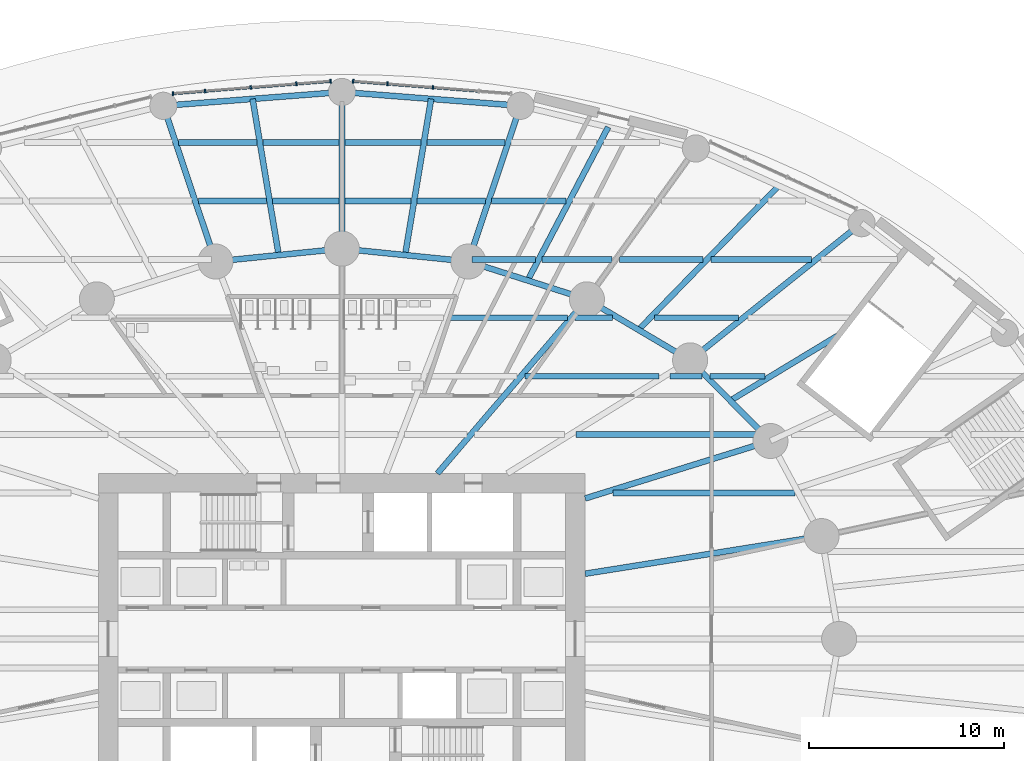
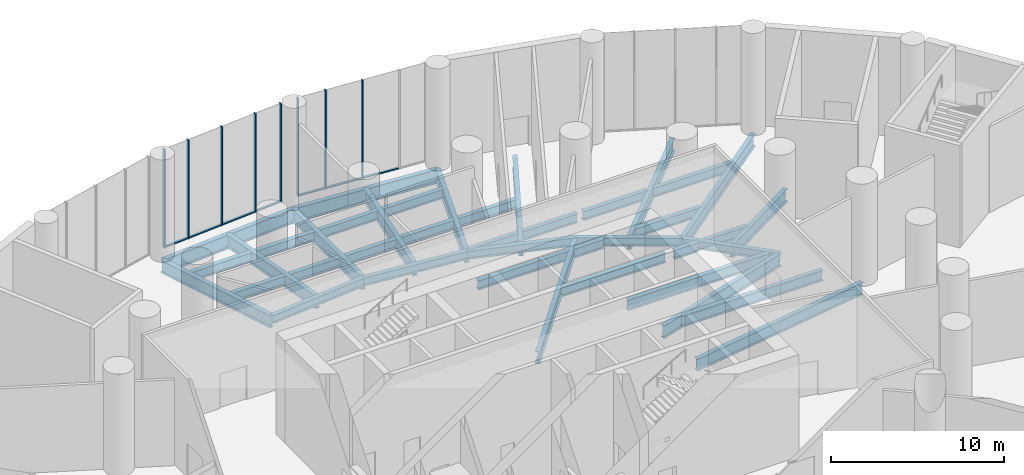
# One storey, part 7 of 22: 40 beams, 15 members, 2 elements without a shape of their own.
"""IFC4 building model written with IfcOpenShell, lengths in metres."""

from ifc_helpers import new_model, si_unit, direction, frame, origin, origin_2d, place, context, subcontext, project, spatial, rectangle, i_section, extrude, material, material_profile, profile_set, type_object, element, aggregate, save


model = new_model("IFC4")

# Units and contexts
model_context = context("Model", 3, precision=1e-05, world=origin(), true_north=direction((0.0, 1.0)))
body_context = subcontext(model_context, "Body", "Model", "MODEL_VIEW")
ifc_project = project(units=[si_unit("LENGTHUNIT", "METRE"), si_unit("AREAUNIT", "SQUARE_METRE"), si_unit("VOLUMEUNIT", "CUBIC_METRE"), si_unit("PLANEANGLEUNIT", "RADIAN"), si_unit("MASSUNIT", "GRAM", prefix="KILO")], contexts=[model_context])

# Site, building, storey
site_placement = place(None, origin())
site = spatial("IfcSite", under=ifc_project, at=site_placement, CompositionType="ELEMENT")
building_placement = place(site_placement, origin())
building = spatial("IfcBuilding", under=site, at=building_placement, Name="Hankou Lantern Tower", CompositionType="ELEMENT")
storey_placement = place(building_placement, origin())
storey = spatial("IfcBuildingStorey", under=building, at=storey_placement, Name="L00", CompositionType="ELEMENT", Elevation=0.0)

# Beams
ifc_material_1 = material(Name="Steel Q355B", Category="steel")
ifc_material_profile_1 = material_profile(ifc_material_1, i_section(OverallWidth=0.300048828125, OverallDepth=0.587890625, WebThickness=0.011962890625, FlangeThickness=0.02001953125, FilletRadius=0.01806640625, at=origin_2d()), Name="HM588x300x12x20")
ifc_profile_set_1 = profile_set([ifc_material_profile_1], Name="Steel Q355B")
beam_type_1 = type_object("IfcBeamType", Name="EB16 RING BEAM HM588x300x12x20", PredefinedType="SPANDREL", material=ifc_profile_set_1)
beam_1_placement = place(storey_placement, frame((22.01904296875, 10.170166015625, -0.5439453125), z_axis=(-0.705727798394, 0.708483079949, 0.0), x_axis=(-0.708483079949, -0.705727798394, 0.0)))
element("IfcBeam", 1, at=beam_1_placement, inside=storey, type_object=beam_type_1, Name="Ring beam R03-R04 L00", PredefinedType="SPANDREL", context=body_context, shape_type="SweptSolid", body=[
    extrude(i_section(OverallWidth=0.300048828125, OverallDepth=0.587890625, WebThickness=0.011962890625, FlangeThickness=0.02001953125, FilletRadius=0.01806640625, at=origin_2d()), origin(), (0.0, 0.0, 1.0), 5.84814453125),
])
beam_2_placement = place(storey_placement, frame((17.891845703125, 14.3134765625, -0.5439453125), z_axis=(-0.860881533543, 0.508805449268, 0.0), x_axis=(-0.508805449268, -0.860881533543, 0.0)))
element("IfcBeam", 2, at=beam_2_placement, inside=storey, type_object=beam_type_1, Name="Ring beam R04-R05 L00", PredefinedType="SPANDREL", context=body_context, shape_type="SweptSolid", body=[
    extrude(i_section(OverallWidth=0.300048828125, OverallDepth=0.587890625, WebThickness=0.011962890625, FlangeThickness=0.02001953125, FilletRadius=0.01806640625, at=origin_2d()), origin(), (0.0, 0.0, 1.0), 6.15771484375),
])
beam_3_placement = place(storey_placement, frame((12.5908203125, 17.446533203125, -0.5439453125), z_axis=(-0.952690479428, 0.303942182671, 0.0), x_axis=(-0.303942182671, -0.952690479428, 0.0)))
element("IfcBeam", 3, at=beam_3_placement, inside=storey, type_object=beam_type_1, Name="Ring beam R05-R06 L00", PredefinedType="SPANDREL", context=body_context, shape_type="SweptSolid", body=[
    extrude(i_section(OverallWidth=0.300048828125, OverallDepth=0.587890625, WebThickness=0.011962890625, FlangeThickness=0.02001953125, FilletRadius=0.01806640625, at=origin_2d()), origin(), (0.0, 0.0, 1.0), 6.398681640625),
])
for number, where, z_axis, x_axis, name in (
    (4, (6.494873046875, 19.391357421875, -0.5439453125), (-0.994896616842, 0.100899562915, 0.0), (-0.100899562915, -0.994896616842, 0.0), "Ring beam R06-R07 L00"),
    (5, (0.0, 20.050048828125, -0.5439453125), (-0.994896616842, -0.100899562915, 0.0), (0.100899562915, -0.994896616842, 0.0), "Ring beam R07-R08 L00"),
):
    element("IfcBeam", number, at=place(storey_placement, frame(where, z_axis=z_axis, x_axis=x_axis)), inside=storey, type_object=beam_type_1, Name=name, PredefinedType="SPANDREL", context=body_context, shape_type="SweptSolid", body=[
        extrude(i_section(OverallWidth=0.300048828125, OverallDepth=0.587890625, WebThickness=0.011962890625, FlangeThickness=0.02001953125, FilletRadius=0.01806640625, at=origin_2d()), origin(), (0.0, 0.0, 1.0), 6.528076171875),
    ])

# Curtain wall, members
ifc_material_2 = material(Name="Glass, dark grey tinted laminated", Category="glass")
curtain_wall_type = type_object("IfcCurtainWallType", Name="CWP PODIUM CURTAIN WALL", PredefinedType="USERDEFINED", material=ifc_material_2)
curtain_wall_1_placement = place(storey_placement, origin())
curtain_wall_1 = element("IfcCurtainWall", 6, at=curtain_wall_1_placement, inside=storey, type_object=curtain_wall_type, Name="CWP L00 PC02", ObjectType="PODIUM GLAZING", PredefinedType="USERDEFINED")
ifc_material_3 = material(Name="Aluminium, black anodised", Category="aluminium")
ifc_material_profile_2 = material_profile(ifc_material_3, rectangle(XDim=0.080078125, YDim=0.199951171875, at=origin_2d()), Name="MU2 80X200")
ifc_profile_set_2 = profile_set([ifc_material_profile_2], Name="Aluminium, black anodised")
member_type_1 = type_object("IfcMemberType", Name="MU2 PODIUM MULLION 80X200", PredefinedType="MULLION", material=ifc_profile_set_2)
member_1_placement = place(storey_placement, frame((4.68359375, 28.333251953125, 0.0), z_axis=(0.0, 0.0, 1.0), x_axis=(-0.996948515213, 0.078061885796, 0.0)))
member_1 = element("IfcMember", 7, at=member_1_placement, type_object=member_type_1, Name="CWP mullion 3", PredefinedType="MULLION", context=body_context, shape_type="SweptSolid", body=[
    extrude(rectangle(XDim=0.080078125, YDim=0.199951171875, at=origin_2d()), origin(), (0.0, 0.0, 1.0), 6.949951171875),
])
member_2_placement = place(storey_placement, frame((2.341796875, 28.5166015625, 0.0), z_axis=(0.0, 0.0, 1.0), x_axis=(-0.996948515213, 0.078061885796, 0.0)))
member_2 = element("IfcMember", 8, at=member_2_placement, type_object=member_type_1, Name="CWP mullion 4", PredefinedType="MULLION", context=body_context, shape_type="SweptSolid", body=[
    extrude(rectangle(XDim=0.080078125, YDim=0.199951171875, at=origin_2d()), origin(), (0.0, 0.0, 1.0), 6.949951171875),
])
member_3_placement = place(storey_placement, frame((0.578857421875, 28.65478515625, 0.0), z_axis=(0.0, 0.0, 1.0), x_axis=(-0.996948515213, 0.078061885796, 0.0)))
member_3 = element("IfcMember", 9, at=member_3_placement, type_object=member_type_1, Name="CWP mullion 5", PredefinedType="MULLION", context=body_context, shape_type="SweptSolid", body=[
    extrude(rectangle(XDim=0.080078125, YDim=0.199951171875, at=origin_2d()), origin(), (0.0, 0.0, 1.0), 6.949951171875),
])

curtain_wall_2_placement = place(storey_placement, origin())
curtain_wall_2 = element("IfcCurtainWall", 10, at=curtain_wall_2_placement, inside=storey, type_object=curtain_wall_type, Name="CWP L00 PC03", ObjectType="PODIUM GLAZING", PredefinedType="USERDEFINED")
member_4_placement = place(storey_placement, frame((-0.578857421875, 28.65478515625, 0.0), z_axis=(0.0, 0.0, 1.0), x_axis=(-0.996948515213, -0.078061885796, 0.0)))
member_4 = element("IfcMember", 11, at=member_4_placement, type_object=member_type_1, Name="CWP mullion 1", PredefinedType="MULLION", context=body_context, shape_type="SweptSolid", body=[
    extrude(rectangle(XDim=0.080078125, YDim=0.199951171875, at=origin_2d()), origin(), (0.0, 0.0, 1.0), 6.949951171875),
])
member_5_placement = place(storey_placement, frame((-2.341796875, 28.5166015625, 0.0), z_axis=(0.0, 0.0, 1.0), x_axis=(-0.996948515213, -0.078061885796, 0.0)))
member_5 = element("IfcMember", 12, at=member_5_placement, type_object=member_type_1, Name="CWP mullion 2", PredefinedType="MULLION", context=body_context, shape_type="SweptSolid", body=[
    extrude(rectangle(XDim=0.080078125, YDim=0.199951171875, at=origin_2d()), origin(), (0.0, 0.0, 1.0), 6.949951171875),
])
member_6_placement = place(storey_placement, frame((-4.68359375, 28.333251953125, 0.0), z_axis=(0.0, 0.0, 1.0), x_axis=(-0.996948515213, -0.078061885796, 0.0)))
member_6 = element("IfcMember", 13, at=member_6_placement, type_object=member_type_1, Name="CWP mullion 3", PredefinedType="MULLION", context=body_context, shape_type="SweptSolid", body=[
    extrude(rectangle(XDim=0.080078125, YDim=0.199951171875, at=origin_2d()), origin(), (0.0, 0.0, 1.0), 6.949951171875),
])
member_7_placement = place(storey_placement, frame((-7.025146484375, 28.14990234375, 0.0), z_axis=(0.0, 0.0, 1.0), x_axis=(-0.996948515213, -0.078061885796, 0.0)))
member_7 = element("IfcMember", 14, at=member_7_placement, type_object=member_type_1, Name="CWP mullion 4", PredefinedType="MULLION", context=body_context, shape_type="SweptSolid", body=[
    extrude(rectangle(XDim=0.080078125, YDim=0.199951171875, at=origin_2d()), origin(), (0.0, 0.0, 1.0), 6.949951171875),
])
member_8_placement = place(storey_placement, frame((-8.678955078125, 28.0205078125, 0.0), z_axis=(0.0, 0.0, 1.0), x_axis=(-0.996948515213, -0.078061885796, 0.0)))
member_8 = element("IfcMember", 15, at=member_8_placement, type_object=member_type_1, Name="CWP mullion 5", PredefinedType="MULLION", context=body_context, shape_type="SweptSolid", body=[
    extrude(rectangle(XDim=0.080078125, YDim=0.199951171875, at=origin_2d()), origin(), (0.0, 0.0, 1.0), 6.949951171875),
])

# Beams
ifc_material_4 = material(Name="Steel Q355B", Category="steel")
ifc_material_profile_3 = material_profile(ifc_material_4, i_section(OverallWidth=0.300048828125, OverallDepth=0.89990234375, WebThickness=0.01611328125, FlangeThickness=0.028076171875, FilletRadius=0.01806640625, at=origin_2d()), Name="HN900x300x16x28")
ifc_profile_set_3 = profile_set([ifc_material_profile_3], Name="Steel Q355B")
beam_type_2 = type_object("IfcBeamType", Name="PB13 PODIUM RADIAL BEAM HN900x300x16x28", PredefinedType="BEAM", material=ifc_profile_set_3)
beam_4_placement = place(storey_placement, frame((17.891845703125, 14.3134765625, -0.699951171875), z_axis=(0.780875142676, 0.624687130931, 0.0), x_axis=(-0.624687130931, 0.780875142676, 0.0)))
element("IfcBeam", 16, at=beam_4_placement, inside=storey, type_object=beam_type_2, Name="Podium radial beam R04 L00", PredefinedType="BEAM", context=body_context, shape_type="SweptSolid", body=[
    extrude(i_section(OverallWidth=0.300048828125, OverallDepth=0.89990234375, WebThickness=0.01611328125, FlangeThickness=0.028076171875, FilletRadius=0.01806640625, at=origin_2d()), origin(), (0.0, 0.0, 1.0), 11.28271484375),
])
beam_5_placement = place(storey_placement, frame((6.494873046875, 19.391357421875, -0.699951171875), z_axis=(0.317599116391, 0.948225079434, 0.0), x_axis=(-0.948225079434, 0.317599116391, 0.0)))
element("IfcBeam", 17, at=beam_5_placement, inside=storey, type_object=beam_type_2, Name="Podium radial beam R06 L00", PredefinedType="BEAM", context=body_context, shape_type="SweptSolid", body=[
    extrude(i_section(OverallWidth=0.300048828125, OverallDepth=0.89990234375, WebThickness=0.01611328125, FlangeThickness=0.028076171875, FilletRadius=0.01806640625, at=origin_2d()), origin(), (0.0, 0.0, 1.0), 8.4365234375),
])
beam_6_placement = place(storey_placement, frame((0.0, 20.050048828125, -0.699951171875), z_axis=(0.0, 1.0, 0.0), x_axis=(-1.0, 0.0, 0.0)))
element("IfcBeam", 18, at=beam_6_placement, inside=storey, type_object=beam_type_2, Name="Podium radial beam R07 L00", PredefinedType="BEAM", context=body_context, shape_type="SweptSolid", body=[
    extrude(i_section(OverallWidth=0.300048828125, OverallDepth=0.89990234375, WebThickness=0.01611328125, FlangeThickness=0.028076171875, FilletRadius=0.01806640625, at=origin_2d()), origin(), (0.0, 0.0, 1.0), 8.050048828125),
])
beam_7_placement = place(storey_placement, frame((-6.494873046875, 19.391357421875, -0.699951171875), z_axis=(-0.317599116391, 0.948225079434, 0.0), x_axis=(-0.948225079434, -0.317599116391, 0.0)))
element("IfcBeam", 19, at=beam_7_placement, inside=storey, type_object=beam_type_2, Name="Podium radial beam R08 L00", PredefinedType="BEAM", context=body_context, shape_type="SweptSolid", body=[
    extrude(i_section(OverallWidth=0.300048828125, OverallDepth=0.89990234375, WebThickness=0.01611328125, FlangeThickness=0.028076171875, FilletRadius=0.01806640625, at=origin_2d()), origin(), (0.0, 0.0, 1.0), 8.4365234375),
])
ifc_material_5 = material(Name="Steel Q355B", Category="steel")
ifc_material_profile_4 = material_profile(ifc_material_5, i_section(OverallWidth=0.300048828125, OverallDepth=1.0, WebThickness=0.01904296875, FlangeThickness=0.035888671875, FilletRadius=0.01806640625, at=origin_2d()), Name="HN1000x300x19x36")
ifc_profile_set_4 = profile_set([ifc_material_profile_4], Name="Steel Q355B")
beam_type_3 = type_object("IfcBeamType", Name="PR22 PODIUM RING BEAM HN1000x300x19x36", PredefinedType="BEAM", material=ifc_profile_set_4)
for number, where, z_axis, x_axis, name in (
    (20, (9.17431640625, 27.39111328125, -0.75), (-0.997027266507, 0.077049528499, 0.0), (-0.077049528499, -0.997027266507, 0.0), "Podium ring beam R06-R07 L00"),
    (21, (0.0, 28.10009765625, -0.75), (-0.997027266507, -0.077049528499, 0.0), (0.077049528499, -0.997027266507, 0.0), "Podium ring beam R07-R08 L00"),
):
    element("IfcBeam", number, at=place(storey_placement, frame(where, z_axis=z_axis, x_axis=x_axis)), inside=storey, type_object=beam_type_3, Name=name, PredefinedType="BEAM", context=body_context, shape_type="SweptSolid", body=[
        extrude(i_section(OverallWidth=0.300048828125, OverallDepth=1.0, WebThickness=0.01904296875, FlangeThickness=0.035888671875, FilletRadius=0.01806640625, at=origin_2d()), origin(), (0.0, 0.0, 1.0), 9.20166015625),
    ])
ifc_material_6 = material(Name="Steel Q355B", Category="steel")
ifc_material_profile_5 = material_profile(ifc_material_6, i_section(OverallWidth=0.300048828125, OverallDepth=0.89990234375, WebThickness=0.01611328125, FlangeThickness=0.028076171875, FilletRadius=0.01806640625, at=origin_2d()), Name="HN900x300x16x28")
ifc_profile_set_5 = profile_set([ifc_material_profile_5], Name="Steel Q355B")
beam_type_4 = type_object("IfcBeamType", Name="PS13 PODIUM SECONDARY BEAM HN900x300x16x28", PredefinedType="JOIST", material=ifc_profile_set_5)
beam_8_placement = place(storey_placement, frame((19.955322265625, 12.24169921875, -0.699951171875), z_axis=(0.855680707986, 0.517504131366, 0.0), x_axis=(-0.517504131366, 0.855680707986, 0.0)))
element("IfcBeam", 22, at=beam_8_placement, inside=storey, type_object=beam_type_4, Name="Podium secondary beam bay R03 L00", PredefinedType="JOIST", context=body_context, shape_type="SweptSolid", body=[
    extrude(i_section(OverallWidth=0.300048828125, OverallDepth=0.89990234375, WebThickness=0.01611328125, FlangeThickness=0.028076171875, FilletRadius=0.01806640625, at=origin_2d()), origin(), (0.0, 0.0, 1.0), 6.521240234375),
])
beam_9_placement = place(storey_placement, frame((15.2412109375, 15.8798828125, -0.699951171875), z_axis=(0.697467529957, 0.716616385981, 0.0), x_axis=(-0.716616385981, 0.697467529957, 0.0)))
element("IfcBeam", 23, at=beam_9_placement, inside=storey, type_object=beam_type_4, Name="Podium secondary beam bay R04 L00", PredefinedType="JOIST", context=body_context, shape_type="SweptSolid", body=[
    extrude(i_section(OverallWidth=0.300048828125, OverallDepth=0.89990234375, WebThickness=0.01611328125, FlangeThickness=0.028076171875, FilletRadius=0.01806640625, at=origin_2d()), origin(), (0.0, 0.0, 1.0), 10.3271484375),
])
beam_10_placement = place(storey_placement, frame((9.54296875, 18.4189453125, -0.699951171875), z_axis=(0.465026961303, 0.88529651827, 0.0), x_axis=(-0.88529651827, 0.465026961303, 0.0)))
element("IfcBeam", 24, at=beam_10_placement, inside=storey, type_object=beam_type_4, Name="Podium secondary beam bay R05 L00", PredefinedType="JOIST", context=body_context, shape_type="SweptSolid", body=[
    extrude(i_section(OverallWidth=0.300048828125, OverallDepth=0.89990234375, WebThickness=0.01611328125, FlangeThickness=0.028076171875, FilletRadius=0.01806640625, at=origin_2d()), origin(), (0.0, 0.0, 1.0), 8.896728515625),
])
for number, where, z_axis, x_axis, name in (
    (25, (3.24755859375, 19.720703125, -0.699951171875), (0.164652019445, 0.986351718452, 0.0), (-0.986351718452, 0.164652019445, 0.0), "Podium secondary beam bay R06 L00"),
    (26, (-3.24755859375, 19.720703125, -0.699951171875), (-0.164652019445, 0.986351718452, 0.0), (-0.986351718452, -0.164652019445, 0.0), "Podium secondary beam bay R07 L00"),
):
    element("IfcBeam", number, at=place(storey_placement, frame(where, z_axis=z_axis, x_axis=x_axis)), inside=storey, type_object=beam_type_4, Name=name, PredefinedType="JOIST", context=body_context, shape_type="SweptSolid", body=[
        extrude(i_section(OverallWidth=0.300048828125, OverallDepth=0.89990234375, WebThickness=0.01611328125, FlangeThickness=0.028076171875, FilletRadius=0.01806640625, at=origin_2d()), origin(), (0.0, 0.0, 1.0), 8.135986328125),
    ])
ifc_material_7 = material(Name="Steel Q355B", Category="steel")
ifc_material_profile_6 = material_profile(ifc_material_7, i_section(OverallWidth=0.300048828125, OverallDepth=0.85009765625, WebThickness=0.01611328125, FlangeThickness=0.027099609375, FilletRadius=0.01806640625, at=origin_2d()), Name="HN850x300x16x27")
ifc_profile_set_6 = profile_set([ifc_material_profile_6], Name="Steel Q355B")
beam_type_5 = type_object("IfcBeamType", Name="RB12 RADIAL BEAM HN850x300x16x27", PredefinedType="BEAM", material=ifc_profile_set_6)
beam_11_placement = place(storey_placement, frame((12.5, 3.349365234375, -0.675048828125), z_axis=(0.987563081343, 0.157223281893, 0.0), x_axis=(-0.157223281893, 0.987563081343, 0.0)))
element("IfcBeam", 27, at=beam_11_placement, inside=storey, type_object=beam_type_5, Name="Radial beam R02 L00", PredefinedType="BEAM", context=body_context, shape_type="SweptSolid", body=[
    extrude(i_section(OverallWidth=0.300048828125, OverallDepth=0.85009765625, WebThickness=0.01611328125, FlangeThickness=0.027099609375, FilletRadius=0.01806640625, at=origin_2d()), origin(), (0.0, 0.0, 1.0), 12.300048828125),
])
beam_12_placement = place(storey_placement, frame((4.907470703125, 8.5, -0.675048828125), z_axis=(0.651519061225, 0.758632264579, 0.0), x_axis=(-0.758632264579, 0.651519061225, 0.0)))
element("IfcBeam", 28, at=beam_12_placement, inside=storey, type_object=beam_type_5, Name="Radial beam R05 L00", PredefinedType="BEAM", context=body_context, shape_type="SweptSolid", body=[
    extrude(i_section(OverallWidth=0.300048828125, OverallDepth=0.85009765625, WebThickness=0.01611328125, FlangeThickness=0.027099609375, FilletRadius=0.01806640625, at=origin_2d()), origin(), (0.0, 0.0, 1.0), 11.79296875),
])
ifc_material_8 = material(Name="Steel Q355B", Category="steel")
ifc_material_profile_7 = material_profile(ifc_material_8, i_section(OverallWidth=0.300048828125, OverallDepth=0.89990234375, WebThickness=0.01611328125, FlangeThickness=0.028076171875, FilletRadius=0.01806640625, at=origin_2d()), Name="HN900x300x16x28")
ifc_profile_set_7 = profile_set([ifc_material_profile_7], Name="Steel Q355B")
beam_type_6 = type_object("IfcBeamType", Name="RB13 RADIAL BEAM HN900x300x16x28", PredefinedType="BEAM", material=ifc_profile_set_7)
beam_13_placement = place(storey_placement, frame((12.5, 7.216796875, -0.699951171875), z_axis=(0.955087327755, 0.29632447817, 0.0), x_axis=(-0.29632447817, 0.955087327755, 0.0)))
element("IfcBeam", 29, at=beam_13_placement, inside=storey, type_object=beam_type_6, Name="Radial beam R03 L00", PredefinedType="BEAM", context=body_context, shape_type="SweptSolid", body=[
    extrude(i_section(OverallWidth=0.300048828125, OverallDepth=0.89990234375, WebThickness=0.01611328125, FlangeThickness=0.028076171875, FilletRadius=0.01806640625, at=origin_2d()), origin(), (0.0, 0.0, 1.0), 9.966552734375),
])
ifc_material_9 = material(Name="Steel Q355B", Category="steel")
ifc_material_profile_8 = material_profile(ifc_material_9, i_section(OverallWidth=0.300048828125, OverallDepth=0.75, WebThickness=0.012939453125, FlangeThickness=0.02392578125, FilletRadius=0.01806640625, at=origin_2d()), Name="HN750x300x13x24")
ifc_profile_set_8 = profile_set([ifc_material_profile_8], Name="Steel Q355B")
beam_type_7 = type_object("IfcBeamType", Name="SB10 SECONDARY BEAM HN750x300x13x24", PredefinedType="JOIST", material=ifc_profile_set_8)
beam_14_placement = place(storey_placement, frame((13.918701171875, 7.5, -0.625), z_axis=(1.0, 0.0, 0.0), x_axis=(0.0, 1.0, 0.0)))
element("IfcBeam", 30, at=beam_14_placement, inside=storey, type_object=beam_type_7, Name="Floor joist J100 L00", PredefinedType="JOIST", context=body_context, shape_type="SweptSolid", body=[
    extrude(i_section(OverallWidth=0.300048828125, OverallDepth=0.75, WebThickness=0.012939453125, FlangeThickness=0.02392578125, FilletRadius=0.01806640625, at=origin_2d()), origin(), (0.0, 0.0, 1.0), 9.365966796875),
])
beam_15_placement = place(storey_placement, frame((12.01611328125, 10.5, -0.625), z_axis=(1.0, 0.0, 0.0), x_axis=(0.0, 1.0, 0.0)))
element("IfcBeam", 31, at=beam_15_placement, inside=storey, type_object=beam_type_7, Name="Floor joist J112 L00", PredefinedType="JOIST", context=body_context, shape_type="SweptSolid", body=[
    extrude(i_section(OverallWidth=0.300048828125, OverallDepth=0.75, WebThickness=0.012939453125, FlangeThickness=0.02392578125, FilletRadius=0.01806640625, at=origin_2d()), origin(), (0.0, 0.0, 1.0), 9.462646484375),
])
ifc_material_10 = material(Name="Steel Q355B", Category="steel")
ifc_material_profile_9 = material_profile(ifc_material_10, i_section(OverallWidth=0.300048828125, OverallDepth=0.64990234375, WebThickness=0.010986328125, FlangeThickness=0.01708984375, FilletRadius=0.01806640625, at=origin_2d()), Name="HN650x300x11x17")
ifc_profile_set_9 = profile_set([ifc_material_profile_9], Name="Steel Q355B")
beam_type_8 = type_object("IfcBeamType", Name="SB8 SECONDARY BEAM HN650x300x11x17", PredefinedType="JOIST", material=ifc_profile_set_9)
beam_16_placement = place(storey_placement, frame((9.3994140625, 13.5, -0.574951171875), z_axis=(1.0, 0.0, 0.0), x_axis=(0.0, 1.0, 0.0)))
element("IfcBeam", 32, at=beam_16_placement, inside=storey, type_object=beam_type_8, Name="Floor joist J124 L00", PredefinedType="JOIST", context=body_context, shape_type="SweptSolid", body=[
    extrude(i_section(OverallWidth=0.300048828125, OverallDepth=0.64990234375, WebThickness=0.010986328125, FlangeThickness=0.01708984375, FilletRadius=0.01806640625, at=origin_2d()), origin(), (0.0, 0.0, 1.0), 6.893310546875),
])
beam_17_placement = place(storey_placement, frame((16.86279296875, 13.5, -0.574951171875), z_axis=(1.0, 0.0, 0.0), x_axis=(0.0, 1.0, 0.0)))
element("IfcBeam", 33, at=beam_17_placement, inside=storey, type_object=beam_type_8, Name="Floor joist J125 L00", PredefinedType="JOIST", context=body_context, shape_type="SweptSolid", body=[
    extrude(i_section(OverallWidth=0.300048828125, OverallDepth=0.64990234375, WebThickness=0.010986328125, FlangeThickness=0.01708984375, FilletRadius=0.01806640625, at=origin_2d()), origin(), (0.0, 0.0, 1.0), 1.62744140625),
])
beam_18_placement = place(storey_placement, frame((18.913818359375, 13.5, -0.574951171875), z_axis=(1.0, 0.0, 0.0), x_axis=(0.0, 1.0, 0.0)))
element("IfcBeam", 34, at=beam_18_placement, inside=storey, type_object=beam_type_8, Name="Floor joist J126 L00", PredefinedType="JOIST", context=body_context, shape_type="SweptSolid", body=[
    extrude(i_section(OverallWidth=0.300048828125, OverallDepth=0.64990234375, WebThickness=0.010986328125, FlangeThickness=0.01708984375, FilletRadius=0.01806640625, at=origin_2d()), origin(), (0.0, 0.0, 1.0), 2.832275390625),
])
beam_19_placement = place(storey_placement, frame((5.5361328125, 16.5, -0.574951171875), z_axis=(1.0, 0.0, 0.0), x_axis=(0.0, 1.0, 0.0)))
element("IfcBeam", 35, at=beam_19_placement, inside=storey, type_object=beam_type_8, Name="Floor joist J136 L00", PredefinedType="JOIST", context=body_context, shape_type="SweptSolid", body=[
    extrude(i_section(OverallWidth=0.300048828125, OverallDepth=0.64990234375, WebThickness=0.010986328125, FlangeThickness=0.01708984375, FilletRadius=0.01806640625, at=origin_2d()), origin(), (0.0, 0.0, 1.0), 6.044189453125),
])
beam_20_placement = place(storey_placement, frame((11.975830078125, 16.5, -0.574951171875), z_axis=(1.0, 0.0, 0.0), x_axis=(0.0, 1.0, 0.0)))
element("IfcBeam", 36, at=beam_20_placement, inside=storey, type_object=beam_type_8, Name="Floor joist J137 L00", PredefinedType="JOIST", context=body_context, shape_type="SweptSolid", body=[
    extrude(i_section(OverallWidth=0.300048828125, OverallDepth=0.64990234375, WebThickness=0.010986328125, FlangeThickness=0.01708984375, FilletRadius=0.01806640625, at=origin_2d()), origin(), (0.0, 0.0, 1.0), 1.921630859375),
])
beam_21_placement = place(storey_placement, frame((16.05419921875, 16.5, -0.574951171875), z_axis=(1.0, 0.0, 0.0), x_axis=(0.0, 1.0, 0.0)))
element("IfcBeam", 37, at=beam_21_placement, inside=storey, type_object=beam_type_8, Name="Floor joist J138 L00", PredefinedType="JOIST", context=body_context, shape_type="SweptSolid", body=[
    extrude(i_section(OverallWidth=0.300048828125, OverallDepth=0.64990234375, WebThickness=0.010986328125, FlangeThickness=0.01708984375, FilletRadius=0.01806640625, at=origin_2d()), origin(), (0.0, 0.0, 1.0), 4.33056640625),
])
beam_22_placement = place(storey_placement, frame((6.689453125, 19.5, -0.574951171875), z_axis=(1.0, 0.0, 0.0), x_axis=(0.0, 1.0, 0.0)))
element("IfcBeam", 38, at=beam_22_placement, inside=storey, type_object=beam_type_8, Name="Floor joist J148 L00", PredefinedType="JOIST", context=body_context, shape_type="SweptSolid", body=[
    extrude(i_section(OverallWidth=0.300048828125, OverallDepth=0.64990234375, WebThickness=0.010986328125, FlangeThickness=0.01708984375, FilletRadius=0.01806640625, at=origin_2d()), origin(), (0.0, 0.0, 1.0), 3.251953125),
])
beam_23_placement = place(storey_placement, frame((10.2802734375, 19.5, -0.574951171875), z_axis=(1.0, 0.0, 0.0), x_axis=(0.0, 1.0, 0.0)))
element("IfcBeam", 39, at=beam_23_placement, inside=storey, type_object=beam_type_8, Name="Floor joist J149 L00", PredefinedType="JOIST", context=body_context, shape_type="SweptSolid", body=[
    extrude(i_section(OverallWidth=0.300048828125, OverallDepth=0.64990234375, WebThickness=0.010986328125, FlangeThickness=0.01708984375, FilletRadius=0.01806640625, at=origin_2d()), origin(), (0.0, 0.0, 1.0), 3.607666015625),
])
beam_24_placement = place(storey_placement, frame((14.2578125, 19.5, -0.574951171875), z_axis=(1.0, 0.0, 0.0), x_axis=(0.0, 1.0, 0.0)))
element("IfcBeam", 40, at=beam_24_placement, inside=storey, type_object=beam_type_8, Name="Floor joist J150 L00", PredefinedType="JOIST", context=body_context, shape_type="SweptSolid", body=[
    extrude(i_section(OverallWidth=0.300048828125, OverallDepth=0.64990234375, WebThickness=0.010986328125, FlangeThickness=0.01708984375, FilletRadius=0.01806640625, at=origin_2d()), origin(), (0.0, 0.0, 1.0), 4.29736328125),
])
beam_25_placement = place(storey_placement, frame((18.973876953125, 19.5, -0.574951171875), z_axis=(1.0, 0.0, 0.0), x_axis=(0.0, 1.0, 0.0)))
element("IfcBeam", 41, at=beam_25_placement, inside=storey, type_object=beam_type_8, Name="Floor joist J151 L00", PredefinedType="JOIST", context=body_context, shape_type="SweptSolid", body=[
    extrude(i_section(OverallWidth=0.300048828125, OverallDepth=0.64990234375, WebThickness=0.010986328125, FlangeThickness=0.01708984375, FilletRadius=0.01806640625, at=origin_2d()), origin(), (0.0, 0.0, 1.0), 5.160888671875),
])
beam_26_placement = place(storey_placement, frame((-7.3779296875, 22.5, -0.574951171875), z_axis=(1.0, 0.0, 0.0), x_axis=(0.0, 1.0, 0.0)))
element("IfcBeam", 42, at=beam_26_placement, inside=storey, type_object=beam_type_8, Name="Floor joist J157 L00", PredefinedType="JOIST", context=body_context, shape_type="SweptSolid", body=[
    extrude(i_section(OverallWidth=0.300048828125, OverallDepth=0.64990234375, WebThickness=0.010986328125, FlangeThickness=0.01708984375, FilletRadius=0.01806640625, at=origin_2d()), origin(), (0.0, 0.0, 1.0), 3.514404296875),
])
for number, where, z_axis, x_axis, name in (
    (43, (-3.559326171875, 22.5, -0.574951171875), (1.0, 0.0, 0.0), (0.0, 1.0, 0.0), "Floor joist J158 L00"),
    (44, (0.14990234375, 22.5, -0.574951171875), (1.0, 0.0, 0.0), (0.0, 1.0, 0.0), "Floor joist J159 L00"),
):
    element("IfcBeam", number, at=place(storey_placement, frame(where, z_axis=z_axis, x_axis=x_axis)), inside=storey, type_object=beam_type_8, Name=name, PredefinedType="JOIST", context=body_context, shape_type="SweptSolid", body=[
        extrude(i_section(OverallWidth=0.300048828125, OverallDepth=0.64990234375, WebThickness=0.010986328125, FlangeThickness=0.01708984375, FilletRadius=0.01806640625, at=origin_2d()), origin(), (0.0, 0.0, 1.0), 3.409423828125),
    ])
beam_27_placement = place(storey_placement, frame((3.863525390625, 22.5, -0.574951171875), z_axis=(1.0, 0.0, 0.0), x_axis=(0.0, 1.0, 0.0)))
element("IfcBeam", 45, at=beam_27_placement, inside=storey, type_object=beam_type_8, Name="Floor joist J160 L00", PredefinedType="JOIST", context=body_context, shape_type="SweptSolid", body=[
    extrude(i_section(OverallWidth=0.300048828125, OverallDepth=0.64990234375, WebThickness=0.010986328125, FlangeThickness=0.01708984375, FilletRadius=0.01806640625, at=origin_2d()), origin(), (0.0, 0.0, 1.0), 3.514404296875),
])
beam_28_placement = place(storey_placement, frame((7.6943359375, 22.5, -0.574951171875), z_axis=(1.0, 0.0, 0.0), x_axis=(0.0, 1.0, 0.0)))
element("IfcBeam", 46, at=beam_28_placement, inside=storey, type_object=beam_type_8, Name="Floor joist J161 L00", PredefinedType="JOIST", context=body_context, shape_type="SweptSolid", body=[
    extrude(i_section(OverallWidth=0.300048828125, OverallDepth=0.64990234375, WebThickness=0.010986328125, FlangeThickness=0.01708984375, FilletRadius=0.01806640625, at=origin_2d()), origin(), (0.0, 0.0, 1.0), 3.82275390625),
])
beam_29_placement = place(storey_placement, frame((-8.3828125, 25.5, -0.574951171875), z_axis=(1.0, 0.0, 0.0), x_axis=(0.0, 1.0, 0.0)))
element("IfcBeam", 47, at=beam_29_placement, inside=storey, type_object=beam_type_8, Name="Floor joist J167 L00", PredefinedType="JOIST", context=body_context, shape_type="SweptSolid", body=[
    extrude(i_section(OverallWidth=0.300048828125, OverallDepth=0.64990234375, WebThickness=0.010986328125, FlangeThickness=0.01708984375, FilletRadius=0.01806640625, at=origin_2d()), origin(), (0.0, 0.0, 1.0), 4.0185546875),
])
for number, where, z_axis, x_axis, name in (
    (48, (-4.060302734375, 25.5, -0.574951171875), (1.0, 0.0, 0.0), (0.0, 1.0, 0.0), "Floor joist J168 L00"),
    (49, (0.14990234375, 25.5, -0.574951171875), (1.0, 0.0, 0.0), (0.0, 1.0, 0.0), "Floor joist J169 L00"),
):
    element("IfcBeam", number, at=place(storey_placement, frame(where, z_axis=z_axis, x_axis=x_axis)), inside=storey, type_object=beam_type_8, Name=name, PredefinedType="JOIST", context=body_context, shape_type="SweptSolid", body=[
        extrude(i_section(OverallWidth=0.300048828125, OverallDepth=0.64990234375, WebThickness=0.010986328125, FlangeThickness=0.01708984375, FilletRadius=0.01806640625, at=origin_2d()), origin(), (0.0, 0.0, 1.0), 3.910400390625),
    ])
beam_30_placement = place(storey_placement, frame((4.3642578125, 25.5, -0.574951171875), z_axis=(1.0, 0.0, 0.0), x_axis=(0.0, 1.0, 0.0)))
element("IfcBeam", 50, at=beam_30_placement, inside=storey, type_object=beam_type_8, Name="Floor joist J170 L00", PredefinedType="JOIST", context=body_context, shape_type="SweptSolid", body=[
    extrude(i_section(OverallWidth=0.300048828125, OverallDepth=0.64990234375, WebThickness=0.010986328125, FlangeThickness=0.01708984375, FilletRadius=0.01806640625, at=origin_2d()), origin(), (0.0, 0.0, 1.0), 4.0185546875),
])

# Member
ifc_material_11 = material(Name="Aluminium, black anodised", Category="aluminium")
ifc_material_profile_10 = material_profile(ifc_material_11, rectangle(XDim=0.14990234375, YDim=0.080078125, at=origin_2d()), Name="TR2 150X80")
ifc_profile_set_10 = profile_set([ifc_material_profile_10], Name="Aluminium, black anodised")
member_type_2 = type_object("IfcMemberType", Name="TR2 PODIUM TRANSOM 150X80", PredefinedType="USERDEFINED", material=ifc_profile_set_10)
member_9_placement = place(storey_placement, frame((6.9853515625, 28.153076171875, 0.0400390625), z_axis=(-0.996952341782, 0.078013000301, 0.0), x_axis=(-0.078013000301, -0.996952341782, 0.0)))
member_9 = element("IfcMember", 51, at=member_9_placement, type_object=member_type_2, Name="CWP transom 2", ObjectType="TRANSOM", PredefinedType="USERDEFINED", context=body_context, shape_type="SweptSolid", body=[
    extrude(rectangle(XDim=0.14990234375, YDim=0.080078125, at=origin_2d()), origin(), (0.0, 0.0, 1.0), 2.268798828125),
])

member_10_placement = place(storey_placement, frame((4.6435546875, 28.33642578125, 0.0400390625), z_axis=(-0.996952341782, 0.078013000301, 0.0), x_axis=(-0.078013000301, -0.996952341782, 0.0)))
member_10 = element("IfcMember", 52, at=member_10_placement, type_object=member_type_2, Name="CWP transom 3", ObjectType="TRANSOM", PredefinedType="USERDEFINED", context=body_context, shape_type="SweptSolid", body=[
    extrude(rectangle(XDim=0.14990234375, YDim=0.080078125, at=origin_2d()), origin(), (0.0, 0.0, 1.0), 2.268798828125),
])

member_11_placement = place(storey_placement, frame((2.3017578125, 28.519775390625, 0.0400390625), z_axis=(-0.996946329832, 0.078089790848, 0.0), x_axis=(-0.078089790848, -0.996946329832, 0.0)))
member_11 = element("IfcMember", 53, at=member_11_placement, type_object=member_type_2, Name="CWP transom 4", ObjectType="TRANSOM", PredefinedType="USERDEFINED", context=body_context, shape_type="SweptSolid", body=[
    extrude(rectangle(XDim=0.14990234375, YDim=0.080078125, at=origin_2d()), origin(), (0.0, 0.0, 1.0), 1.688232421875),
])

aggregate(curtain_wall_1, [member_1, member_2, member_3, member_9, member_10, member_11])

member_12_placement = place(storey_placement, frame((-0.61865234375, 28.651611328125, 0.0400390625), z_axis=(-0.996946329832, -0.078089790848, 0.0), x_axis=(0.078089790848, -0.996946329832, 0.0)))
member_12 = element("IfcMember", 54, at=member_12_placement, type_object=member_type_2, Name="CWP transom 1", ObjectType="TRANSOM", PredefinedType="USERDEFINED", context=body_context, shape_type="SweptSolid", body=[
    extrude(rectangle(XDim=0.14990234375, YDim=0.080078125, at=origin_2d()), origin(), (0.0, 0.0, 1.0), 1.688232421875),
])

member_13_placement = place(storey_placement, frame((-2.381591796875, 28.513427734375, 0.0400390625), z_axis=(-0.996952341782, -0.078013000301, 0.0), x_axis=(0.078013000301, -0.996952341782, 0.0)))
member_13 = element("IfcMember", 55, at=member_13_placement, type_object=member_type_2, Name="CWP transom 2", ObjectType="TRANSOM", PredefinedType="USERDEFINED", context=body_context, shape_type="SweptSolid", body=[
    extrude(rectangle(XDim=0.14990234375, YDim=0.080078125, at=origin_2d()), origin(), (0.0, 0.0, 1.0), 2.268798828125),
])

member_14_placement = place(storey_placement, frame((-4.723388671875, 28.330078125, 0.0400390625), z_axis=(-0.996952341782, -0.078013000301, 0.0), x_axis=(0.078013000301, -0.996952341782, 0.0)))
member_14 = element("IfcMember", 56, at=member_14_placement, type_object=member_type_2, Name="CWP transom 3", ObjectType="TRANSOM", PredefinedType="USERDEFINED", context=body_context, shape_type="SweptSolid", body=[
    extrude(rectangle(XDim=0.14990234375, YDim=0.080078125, at=origin_2d()), origin(), (0.0, 0.0, 1.0), 2.268798828125),
])

member_15_placement = place(storey_placement, frame((-7.065185546875, 28.146728515625, 0.0400390625), z_axis=(-0.996957260436, -0.077950117788, 0.0), x_axis=(0.077950117788, -0.996957260436, 0.0)))
member_15 = element("IfcMember", 57, at=member_15_placement, type_object=member_type_2, Name="CWP transom 4", ObjectType="TRANSOM", PredefinedType="USERDEFINED", context=body_context, shape_type="SweptSolid", body=[
    extrude(rectangle(XDim=0.14990234375, YDim=0.080078125, at=origin_2d()), origin(), (0.0, 0.0, 1.0), 1.57861328125),
])

aggregate(curtain_wall_2, [member_4, member_5, member_6, member_7, member_8, member_12, member_13, member_14, member_15])

save(model, "model.ifc")
